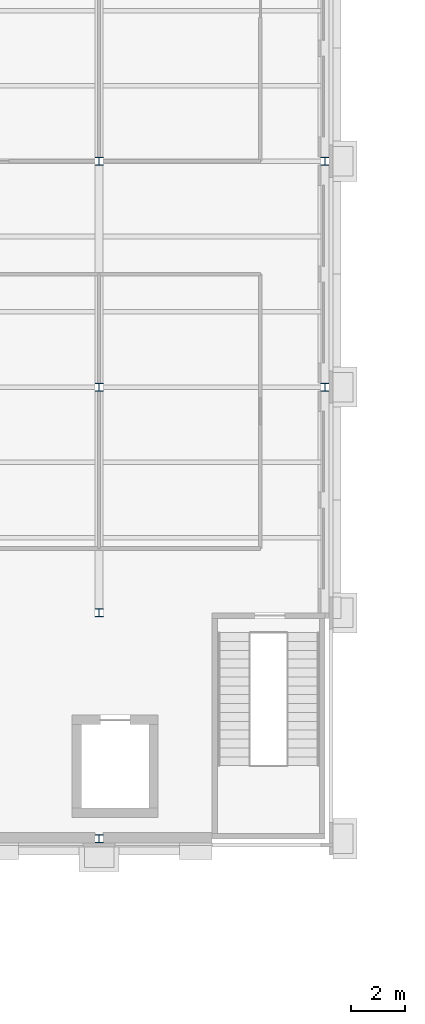
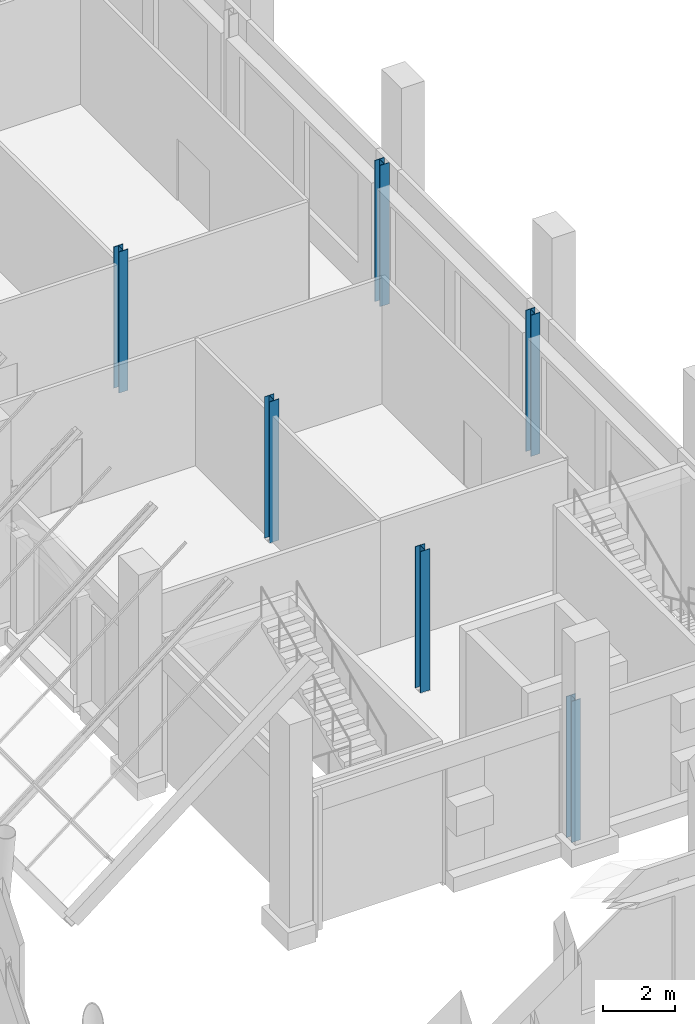
# One storey, part 7 of 76: 6 columns.
"""IFC4 building model written with IfcOpenShell, lengths in metres."""

from ifc_helpers import new_model, si_unit, direction, frame, origin, origin_2d, place, context, subcontext, project, spatial, i_section, extrude, material, material_profile, profile_set, type_object, element, save


model = new_model("IFC4")

# Units and contexts
model_context = context("Model", 3, precision=1e-05, world=origin(), true_north=direction((0.0, 1.0)))
body_context = subcontext(model_context, "Body", "Model", "MODEL_VIEW")
ifc_project = project(units=[si_unit("LENGTHUNIT", "METRE"), si_unit("AREAUNIT", "SQUARE_METRE"), si_unit("VOLUMEUNIT", "CUBIC_METRE"), si_unit("PLANEANGLEUNIT", "RADIAN"), si_unit("MASSUNIT", "GRAM", prefix="KILO")], contexts=[model_context])

# Site, building, storey
site_placement = place(None, origin())
site = spatial("IfcSite", under=ifc_project, at=site_placement, CompositionType="ELEMENT")
building_placement = place(site_placement, origin())
building = spatial("IfcBuilding", under=site, at=building_placement, Name="Sava Quay Ferry Terminal", CompositionType="ELEMENT")
storey_placement = place(building_placement, frame((0.0, 0.0, 6.0)))
storey = spatial("IfcBuildingStorey", under=building, at=storey_placement, Name="L01", CompositionType="ELEMENT", Elevation=6.0)

# Columns
ifc_material = material(Name="Steel S355", Category="steel")
ifc_material_profile = material_profile(ifc_material, i_section(OverallWidth=0.300048828125, OverallDepth=0.300048828125, WebThickness=0.010986328125, FlangeThickness=0.01904296875, at=origin_2d()), Name="HE 300 B")
ifc_profile_set = profile_set([ifc_material_profile], Name="Steel S355")
column_type = type_object("IfcColumnType", Name="Column HE 300 B", PredefinedType="COLUMN", material=ifc_profile_set)
for number, where, z_axis, x_axis, name in (
    (1, (100.800048828125, 58.800048828125, 0.0), (0.0, 0.0, 1.0), (1.0, 0.0, 0.0), "Column L01 100.8/58.8"),
    (2, (100.800048828125, 67.199951171875, 0.0), (0.0, 0.0, 1.0), (1.0, 0.0, 0.0), "Column L01 100.8/67.2"),
    (3, (100.800048828125, 75.60009765625, 0.0), (0.0, 0.0, 1.0), (1.0, 0.0, 0.0), "Column L01 100.8/75.6"),
    (4, (100.800048828125, 84.0, 0.0), (0.0, 0.0, 1.0), (1.0, 0.0, 0.0), "Column L01 100.8/84"),
    (5, (109.199951171875, 75.60009765625, 0.0), (0.0, 0.0, 1.0), (1.0, 0.0, 0.0), "Column L01 109.2/75.6"),
    (6, (109.199951171875, 84.0, 0.0), (0.0, 0.0, 1.0), (1.0, 0.0, 0.0), "Column L01 109.2/84"),
):
    element("IfcColumn", number, at=place(storey_placement, frame(where, z_axis=z_axis, x_axis=x_axis)), inside=storey, type_object=column_type, Name=name, PredefinedType="COLUMN", context=body_context, shape_type="SweptSolid", body=[
        extrude(i_section(OverallWidth=0.300048828125, OverallDepth=0.300048828125, WebThickness=0.010986328125, FlangeThickness=0.01904296875, at=origin_2d()), origin(), (0.0, 0.0, 1.0), 4.800048828125),
    ])

save(model, "model.ifc")
